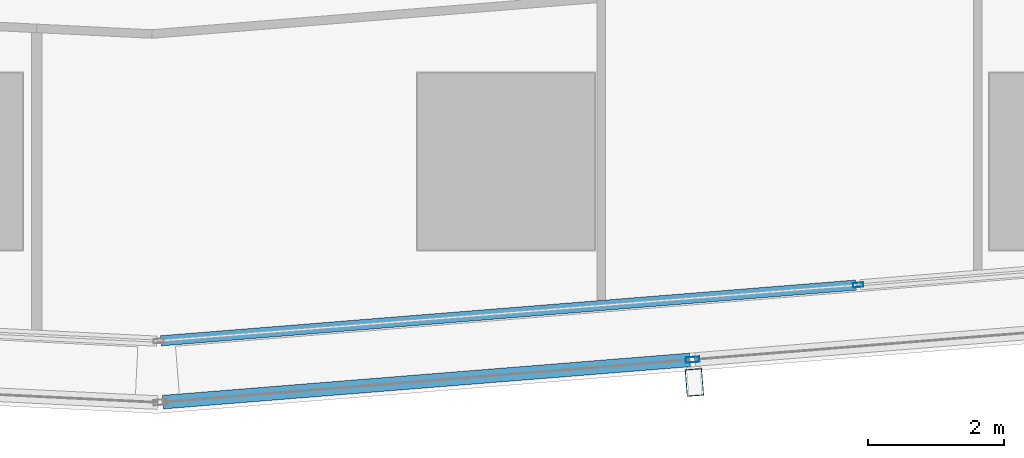
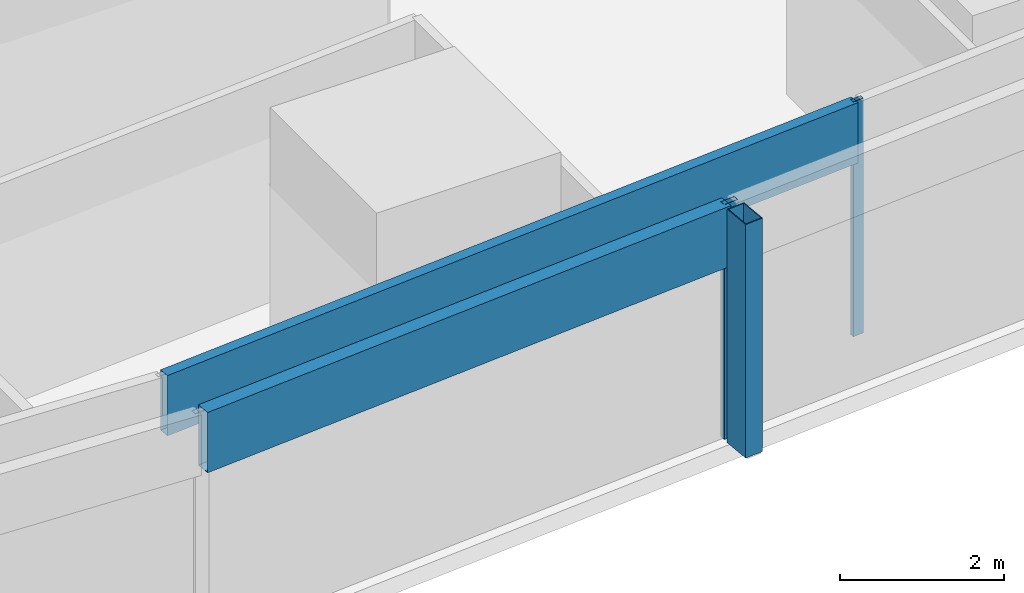
# One storey, part 10 of 46: 5 members, 2 elements without a shape of their own.
"""IFC4 building model written with IfcOpenShell, lengths in metres."""

from ifc_helpers import new_model, si_unit, direction, frame, origin, origin_2d, place, context, subcontext, project, spatial, hollow_rectangle, extrude, material, material_profile, profile_set, type_object, element, aggregate, save


model = new_model("IFC4")

# Units and contexts
model_context = context("Model", 3, precision=1e-05, world=origin(), true_north=direction((0.0, 1.0)))
body_context = subcontext(model_context, "Body", "Model", "MODEL_VIEW")
ifc_project = project(units=[si_unit("LENGTHUNIT", "METRE"), si_unit("AREAUNIT", "SQUARE_METRE"), si_unit("VOLUMEUNIT", "CUBIC_METRE"), si_unit("PLANEANGLEUNIT", "RADIAN"), si_unit("MASSUNIT", "GRAM", prefix="KILO")], contexts=[model_context])

# Site, building, storey
site_placement = place(None, origin())
site = spatial("IfcSite", under=ifc_project, at=site_placement, CompositionType="ELEMENT")
building_placement = place(site_placement, origin())
building = spatial("IfcBuilding", under=site, at=building_placement, Name="Rekha Terrace Tower", CompositionType="ELEMENT")
storey_placement = place(building_placement, frame((0.0, 0.0, 29.14990234375)))
storey = spatial("IfcBuildingStorey", under=building, at=storey_placement, Name="L06", CompositionType="ELEMENT", Elevation=29.14990234375)

# Curtain wall, member
ifc_material_1 = material(Name="Aluminium framing", Category="aluminium")
curtain_wall_type_1 = type_object("IfcCurtainWallType", Name="CW2 double skin outer glazing", PredefinedType="USERDEFINED", material=ifc_material_1)
curtain_wall_1_placement = place(storey_placement, origin())
curtain_wall_1 = element("IfcCurtainWall", 1, at=curtain_wall_1_placement, inside=storey, type_object=curtain_wall_type_1, Name="CW2 double skin outer glazing", ObjectType="DOUBLE SKIN OUTER GLAZING", PredefinedType="USERDEFINED")
ifc_material_2 = material(Name="Steel S355 with fluorocarbon finish", Category="steel")
ifc_material_profile_1 = material_profile(ifc_material_2, hollow_rectangle(XDim=0.25, YDim=0.39990234375, WallThickness=0.012451171875, at=origin_2d()), Name="RHS400x250x12.5")
ifc_profile_set_1 = profile_set([ifc_material_profile_1], Name="Steel S355 with fluorocarbon finish")
member_type_1 = type_object("IfcMemberType", Name="BL1 facade blade RHS 400 x 250", PredefinedType="USERDEFINED", material=ifc_profile_set_1)
member_1_placement = place(storey_placement, frame((53.16748046875, 5.15576171875, 0.02001953125), z_axis=(0.0, 0.0, 1.0), x_axis=(0.996805139821, 0.079871855039, 0.0)))
member_1 = element("IfcMember", 2, at=member_1_placement, type_object=member_type_1, Name="Facade blade", ObjectType="FACADE BLADE", PredefinedType="USERDEFINED", context=body_context, shape_type="SweptSolid", body=[
    extrude(hollow_rectangle(XDim=0.25, YDim=0.39990234375, WallThickness=0.012451171875, at=origin_2d()), origin(), (0.0, 0.0, 1.0), 3.47998046875),
])

# Curtain wall, members
curtain_wall_type_2 = type_object("IfcCurtainWallType", Name="CW1 double skin inner glazing", PredefinedType="USERDEFINED", material=ifc_material_1)
curtain_wall_2_placement = place(storey_placement, origin())
curtain_wall_2 = element("IfcCurtainWall", 3, at=curtain_wall_2_placement, inside=storey, type_object=curtain_wall_type_2, Name="CW1 double skin inner glazing", ObjectType="DOUBLE SKIN INNER GLAZING", PredefinedType="USERDEFINED")
ifc_material_3 = material(Name="Aluminium mullion section", Category="aluminium")
ifc_material_profile_2 = material_profile(ifc_material_3, hollow_rectangle(XDim=0.06494140625, YDim=0.14990234375, WallThickness=0.00390625, at=origin_2d()), Name="AL RHS 65x150")
ifc_profile_set_2 = profile_set([ifc_material_profile_2], Name="Aluminium mullion section")
member_type_2 = type_object("IfcMemberType", Name="CW1 mullion RHS 65 x 150", PredefinedType="MULLION", material=ifc_profile_set_2)
member_2_placement = place(storey_placement, frame((55.572021484375, 6.58740234375, 0.0), z_axis=(0.0, 0.0, 1.0), x_axis=(-0.079872204468, 0.996805111821, 0.0)))
member_2 = element("IfcMember", 4, at=member_2_placement, type_object=member_type_2, Name="CW1 mullion 2", PredefinedType="MULLION", context=body_context, shape_type="SweptSolid", body=[
    extrude(hollow_rectangle(XDim=0.06494140625, YDim=0.14990234375, WallThickness=0.00390625, at=origin_2d()), origin(), (0.0, 0.0, 1.0), 3.5),
])
ifc_material_4 = material(Name="Insulated aluminium spandrel box", Category="aluminium")
ifc_material_profile_3 = material_profile(ifc_material_4, hollow_rectangle(XDim=0.14990234375, YDim=0.89990234375, WallThickness=0.0029296875, at=origin_2d()), Name="AL SPANDREL BOX 150x900")
ifc_profile_set_3 = profile_set([ifc_material_profile_3], Name="Insulated aluminium spandrel box")
member_type_3 = type_object("IfcMemberType", Name="CW1 spandrel transom 150 x 900", PredefinedType="USERDEFINED", material=ifc_profile_set_3)
member_3_placement = place(storey_placement, frame((45.33642578125, 5.767333984375, 3.050048828125), z_axis=(0.996804576186, 0.079878888918, 0.0), x_axis=(-0.079878888918, 0.996804576186, 0.0)))
member_3 = element("IfcMember", 5, at=member_3_placement, type_object=member_type_3, Name="CW1 spandrel transom 1", ObjectType="TRANSOM", PredefinedType="USERDEFINED", context=body_context, shape_type="SweptSolid", body=[
    extrude(hollow_rectangle(XDim=0.14990234375, YDim=0.89990234375, WallThickness=0.0029296875, at=origin_2d()), origin(), (0.0, 0.0, 1.0), 10.23583984375),
])
aggregate(curtain_wall_2, [member_2, member_3])

# Member
ifc_material_profile_4 = material_profile(ifc_material_3, hollow_rectangle(XDim=0.080078125, YDim=0.199951171875, WallThickness=0.00390625, at=origin_2d()), Name="AL RHS 80x200")
ifc_profile_set_4 = profile_set([ifc_material_profile_4], Name="Aluminium mullion section")
member_type_4 = type_object("IfcMemberType", Name="CW2 mullion RHS 80 x 200", PredefinedType="MULLION", material=ifc_profile_set_4)
member_4_placement = place(storey_placement, frame((53.140869140625, 5.48974609375, 0.0), z_axis=(0.0, 0.0, 1.0), x_axis=(-0.079872204468, 0.996805111821, 0.0)))
member_4 = element("IfcMember", 6, at=member_4_placement, type_object=member_type_4, Name="CW2 mullion 2", PredefinedType="MULLION", context=body_context, shape_type="SweptSolid", body=[
    extrude(hollow_rectangle(XDim=0.080078125, YDim=0.199951171875, WallThickness=0.00390625, at=origin_2d()), origin(), (0.0, 0.0, 1.0), 3.5),
])

ifc_material_profile_5 = material_profile(ifc_material_4, hollow_rectangle(XDim=0.199951171875, YDim=0.89990234375, WallThickness=0.0029296875, at=origin_2d()), Name="AL SPANDREL BOX 200x900")
ifc_profile_set_5 = profile_set([ifc_material_profile_5], Name="Insulated aluminium spandrel box")
member_type_5 = type_object("IfcMemberType", Name="CW2 spandrel transom 200 x 900", PredefinedType="USERDEFINED", material=ifc_profile_set_5)
member_5_placement = place(storey_placement, frame((45.365234375, 4.86669921875, 3.050048828125), z_axis=(0.996804766607, 0.079876512622, 0.0), x_axis=(-0.079876512622, 0.996804766607, 0.0)))
member_5 = element("IfcMember", 7, at=member_5_placement, type_object=member_type_5, Name="CW2 spandrel transom 1", ObjectType="TRANSOM", PredefinedType="USERDEFINED", context=body_context, shape_type="SweptSolid", body=[
    extrude(hollow_rectangle(XDim=0.199951171875, YDim=0.89990234375, WallThickness=0.0029296875, at=origin_2d()), origin(), (0.0, 0.0, 1.0), 7.760498046875),
])

aggregate(curtain_wall_1, [member_4, member_5, member_1])

save(model, "model.ifc")
